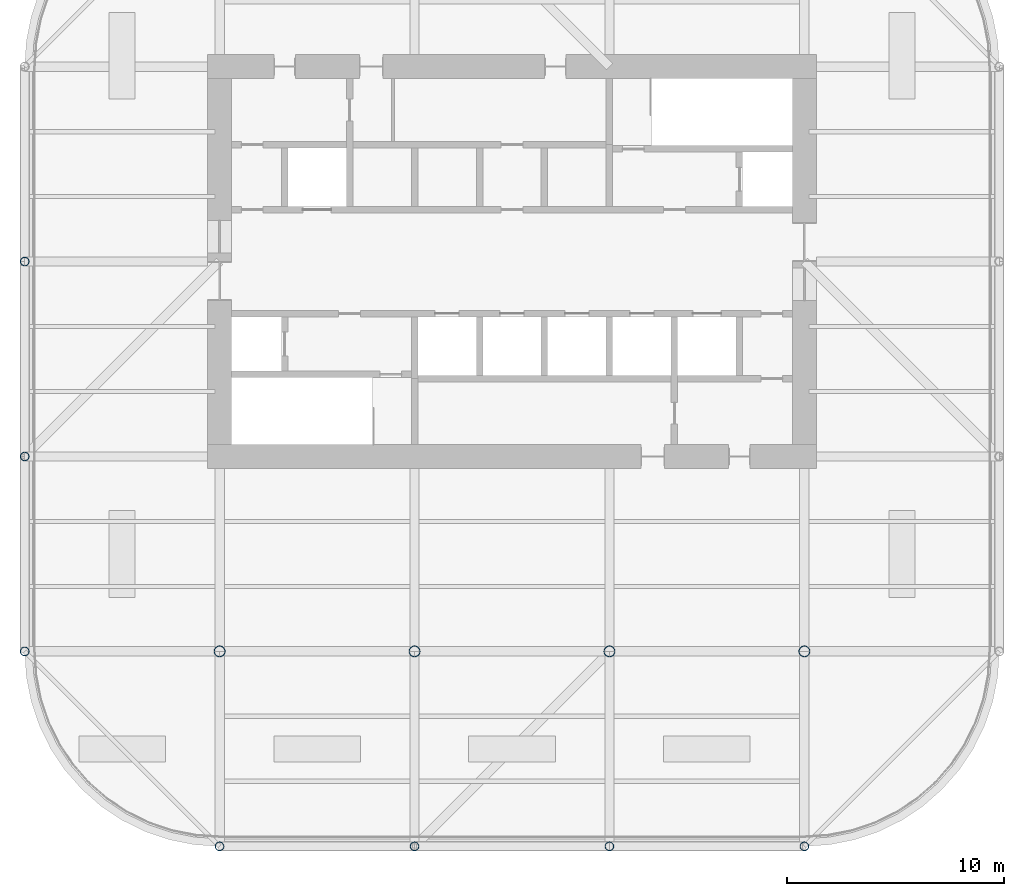
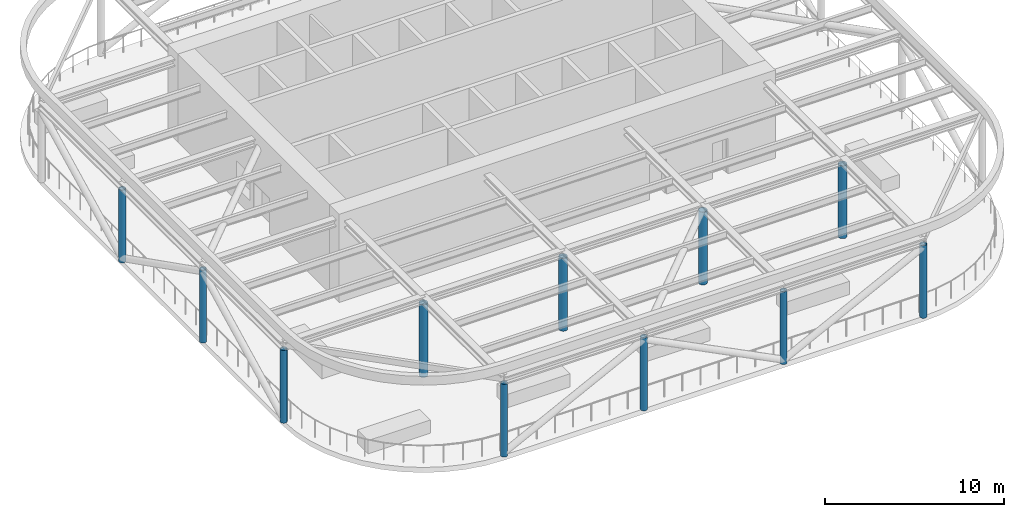
# One storey, part 1 of 8: 11 columns.
"""IFC4 building model written with IfcOpenShell, lengths in metres."""

from ifc_helpers import new_model, si_unit, direction, frame, origin, origin_2d, place, context, subcontext, project, spatial, hollow_circle, extrude, material, material_profile, profile_set, type_object, element, save


model = new_model("IFC4")

# Units and contexts
model_context = context("Model", 3, precision=1e-05, world=origin(), true_north=direction((0.0, 1.0)))
body_context = subcontext(model_context, "Body", "Model", "MODEL_VIEW")
ifc_project = project(units=[si_unit("LENGTHUNIT", "METRE"), si_unit("AREAUNIT", "SQUARE_METRE"), si_unit("VOLUMEUNIT", "CUBIC_METRE"), si_unit("PLANEANGLEUNIT", "RADIAN"), si_unit("MASSUNIT", "GRAM", prefix="KILO")], contexts=[model_context])

# Site, building, storey
site_placement = place(None, origin())
site = spatial("IfcSite", under=ifc_project, at=site_placement, CompositionType="ELEMENT")
building_placement = place(site_placement, origin())
building = spatial("IfcBuilding", under=site, at=building_placement, Name="Zorevar Civic Tower", CompositionType="ELEMENT")
storey_placement = place(building_placement, frame((0.0, 0.0, 311.800048828125)))
storey = spatial("IfcBuildingStorey", under=building, at=storey_placement, Name="RF", CompositionType="ELEMENT", Elevation=311.800048828125)

# Columns
ifc_material_1 = material(Name="Steel S355, intumescent coating", Category="steel")
ifc_material_profile_1 = material_profile(ifc_material_1, hollow_circle(Radius=0.203125, WallThickness=0.01611328125, at=origin_2d()), Name="CHS 406.4x16")
ifc_profile_set_1 = profile_set([ifc_material_profile_1], Name="Steel S355, intumescent coating")
column_type_1 = type_object("IfcColumnType", Name="Canopy post CHS 406.4x16", PredefinedType="COLUMN", material=ifc_profile_set_1)
for number, where, z_axis, x_axis, name in (
    (1, (9.0, 9.0, 0.0), (0.0, 0.0, 1.0), (1.0, 0.0, 0.0), "Canopy post 3B"),
    (2, (9.0, 18.0, 0.0), (0.0, 0.0, 1.0), (1.0, 0.0, 0.0), "Canopy post 3C"),
    (3, (9.0, 27.0, 0.0), (0.0, 0.0, 1.0), (1.0, 0.0, 0.0), "Canopy post 3D"),
    (4, (18.0, 0.0, 0.0), (0.0, 0.0, 1.0), (1.0, 0.0, 0.0), "Canopy post 4A"),
    (5, (27.0, 0.0, 0.0), (0.0, 0.0, 1.0), (1.0, 0.0, 0.0), "Canopy post 5A"),
    (6, (36.0, 0.0, 0.0), (0.0, 0.0, 1.0), (1.0, 0.0, 0.0), "Canopy post 6A"),
    (7, (45.0, 0.0, 0.0), (0.0, 0.0, 1.0), (1.0, 0.0, 0.0), "Canopy post 7A"),
):
    element("IfcColumn", number, at=place(storey_placement, frame(where, z_axis=z_axis, x_axis=x_axis)), inside=storey, type_object=column_type_1, Name=name, PredefinedType="COLUMN", context=body_context, shape_type="SweptSolid", body=[
        extrude(hollow_circle(Radius=0.203125, WallThickness=0.01611328125, at=origin_2d()), origin(), (0.0, 0.0, 1.0), 4.951904296875),
    ])
ifc_material_2 = material(Name="Steel S355, intumescent coating", Category="steel")
ifc_material_profile_2 = material_profile(ifc_material_2, hollow_circle(Radius=0.25390625, WallThickness=0.01611328125, at=origin_2d()), Name="CHS 508x16")
ifc_profile_set_2 = profile_set([ifc_material_profile_2], Name="Steel S355, intumescent coating")
column_type_2 = type_object("IfcColumnType", Name="Canopy post CHS 508x16", PredefinedType="COLUMN", material=ifc_profile_set_2)
for number, where, z_axis, x_axis, name in (
    (8, (18.0, 9.0, 0.0), (0.0, 0.0, 1.0), (1.0, 0.0, 0.0), "Canopy post 4B"),
    (9, (27.0, 9.0, 0.0), (0.0, 0.0, 1.0), (1.0, 0.0, 0.0), "Canopy post 5B"),
    (10, (36.0, 9.0, 0.0), (0.0, 0.0, 1.0), (1.0, 0.0, 0.0), "Canopy post 6B"),
    (11, (45.0, 9.0, 0.0), (0.0, 0.0, 1.0), (1.0, 0.0, 0.0), "Canopy post 7B"),
):
    element("IfcColumn", number, at=place(storey_placement, frame(where, z_axis=z_axis, x_axis=x_axis)), inside=storey, type_object=column_type_2, Name=name, PredefinedType="COLUMN", context=body_context, shape_type="SweptSolid", body=[
        extrude(hollow_circle(Radius=0.25390625, WallThickness=0.01611328125, at=origin_2d()), origin(), (0.0, 0.0, 1.0), 4.951904296875),
    ])

save(model, "model.ifc")
